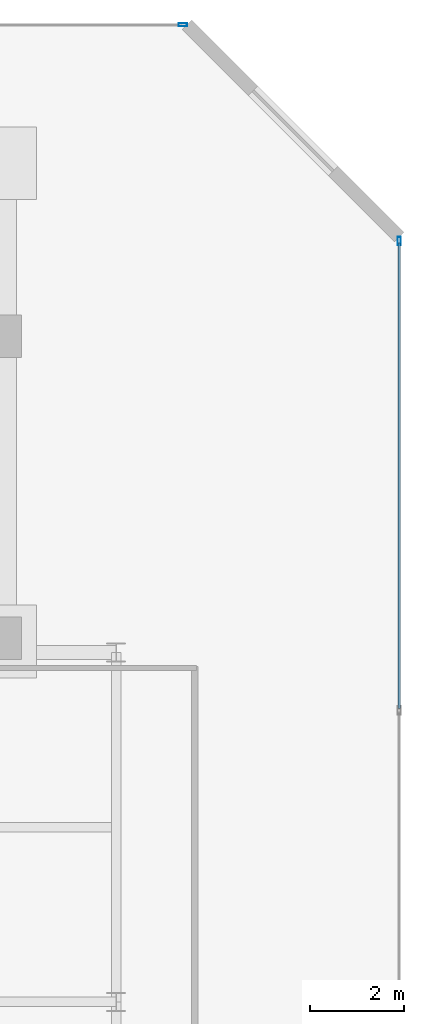
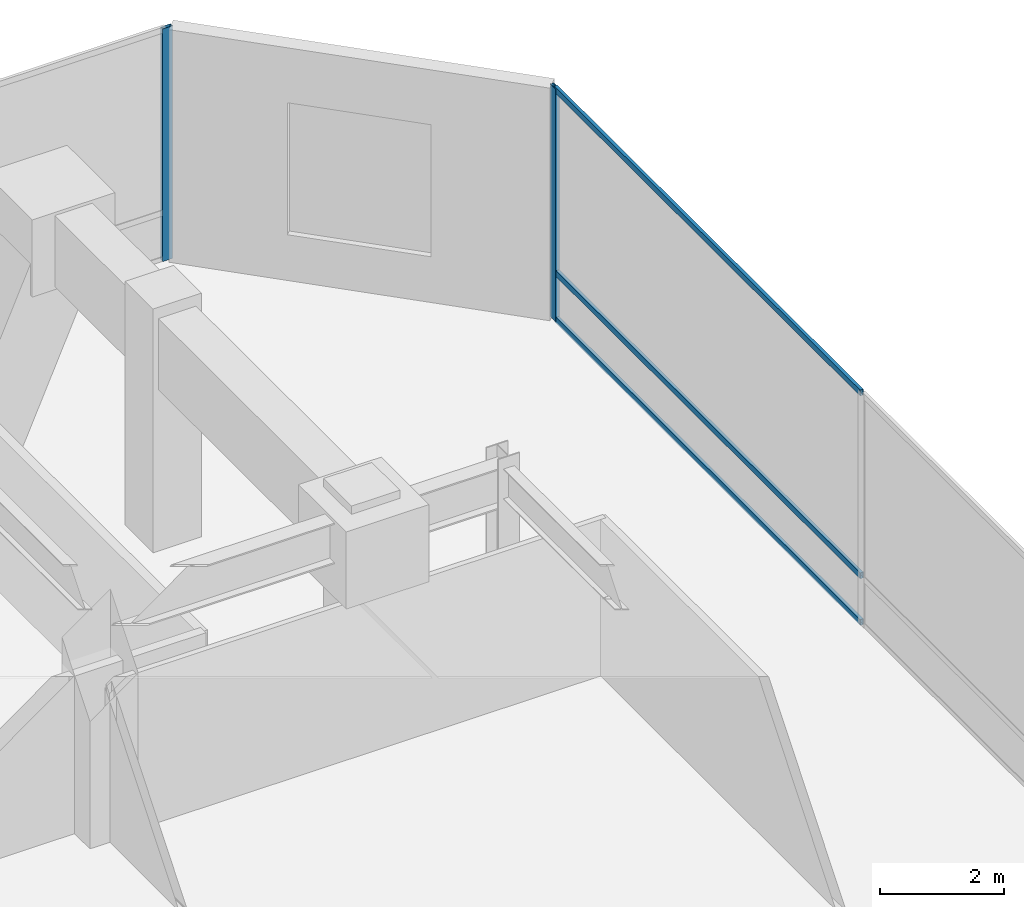
# One storey, part 29 of 45: 5 members, 2 elements without a shape of their own.
"""IFC4 building model written with IfcOpenShell, lengths in metres."""

import ifcopenshell
import ifcopenshell.guid

model = None  # the IFC model being written
_history = None  # IfcOwnerHistory: only IFC2X3 demands one
_inside = {}  # id of a spatial element -> (the spatial element, [elements in it])
_under = {}  # id of a project, library or spatial element -> (it, [spatial elements below it])
_declared = {}  # id of a project -> (the project, [libraries it declares])
_typed = {}  # id of a type object -> (the type object, [elements of that type])
_made_of = {}  # id of a material, layer set ... -> (it, [elements and type objects made of it])


def new_model(schema):
    """Start an empty IFC model of exactly this schema.

    Asked for "IFC4X3", IfcOpenShell would pick the latest addendum, in which some entities
    have other attributes; the version numbers below select the first issue.
    IFC2X3 requires an IfcOwnerHistory on every rooted entity: one is made here for all.
    """
    global model, _history
    if schema == "IFC4X3":
        model = ifcopenshell.file(schema_version=(4, 3, 0, 0))
    else:
        model = ifcopenshell.file(schema=schema)
    _inside.clear()
    _under.clear()
    _declared.clear()
    _typed.clear()
    _made_of.clear()
    _history = None
    if model.schema == "IFC2X3":
        org = make("IfcOrganization", Name="unknown")
        user = make(
            "IfcPersonAndOrganization",
            ThePerson=make("IfcPerson", FamilyName="unknown"),
            TheOrganization=org,
        )
        app = make(
            "IfcApplication",
            ApplicationDeveloper=org,
            Version="unknown",
            ApplicationFullName="unknown",
            ApplicationIdentifier="unknown",
        )
        _history = make(
            "IfcOwnerHistory",
            OwningUser=user,
            OwningApplication=app,
            ChangeAction="ADDED",
            CreationDate=0,
        )
    return model


def make(cls, **values):
    """One entity of the class cls with the attributes given. An attribute that is None is left unset."""
    return model.create_entity(
        cls, **{name: value for name, value in values.items() if value is not None}
    )


def rooted(cls, **values):
    """An entity with a GlobalId (a new one), such as an element, a storey or a relation."""
    return make(cls, GlobalId=ifcopenshell.guid.new(), OwnerHistory=_history, **values)


def si_unit(unit_type, name, prefix=None):
    """IfcSIUnit, for example si_unit("LENGTHUNIT", "METRE", prefix="MILLI")."""
    return make("IfcSIUnit", UnitType=unit_type, Prefix=prefix, Name=name)


def assignment(units):
    """IfcUnitAssignment: the units of a project."""
    return None if units is None else make("IfcUnitAssignment", Units=units)


def point(xyz):
    """IfcCartesianPoint."""
    return None if xyz is None else make("IfcCartesianPoint", Coordinates=xyz)


def direction(xyz):
    """IfcDirection."""
    return None if xyz is None else make("IfcDirection", DirectionRatios=xyz)


def frame(location, z_axis=None, x_axis=None):
    """IfcAxis2Placement3D, a coordinate frame: its origin and axes. An axis left out is left unset."""
    return make(
        "IfcAxis2Placement3D",
        Location=point(location),
        Axis=direction(z_axis),
        RefDirection=direction(x_axis),
    )


def frame_2d(location, x_axis=None):
    """IfcAxis2Placement2D, a coordinate frame in the plane: its origin and x axis."""
    return make(
        "IfcAxis2Placement2D", Location=point(location), RefDirection=direction(x_axis)
    )


def origin():
    """The frame at (0, 0, 0) with its axes left unset."""
    return frame((0.0, 0.0, 0.0))


def origin_2d():
    """The frame at (0, 0) in the plane with its x axis left unset."""
    return frame_2d((0.0, 0.0))


def place(relative_to, where):
    """IfcLocalPlacement: puts the frame where relative to a parent placement (None: the world)."""
    return make(
        "IfcLocalPlacement", PlacementRelTo=relative_to, RelativePlacement=where
    )


def context(
    kind, dimensions, precision=None, world=None, true_north=None, identifier=None
):
    """IfcGeometricRepresentationContext, for example the 3D "Model" context."""
    return make(
        "IfcGeometricRepresentationContext",
        ContextIdentifier=identifier,
        ContextType=kind,
        CoordinateSpaceDimension=dimensions,
        Precision=precision,
        WorldCoordinateSystem=world,
        TrueNorth=true_north,
    )


def subcontext(parent, identifier, kind, view, scale=None):
    """IfcGeometricRepresentationSubContext, for example "Body" below "Model"."""
    return make(
        "IfcGeometricRepresentationSubContext",
        ContextIdentifier=identifier,
        ContextType=kind,
        ParentContext=parent,
        TargetScale=scale,
        TargetView=view,
    )


def project(units=None, contexts=None):
    """IfcProject with its units and contexts."""
    return rooted(
        "IfcProject",
        Name="project",
        RepresentationContexts=contexts,
        UnitsInContext=assignment(units),
    )


def spatial(cls, under=None, at=None, **own):
    """A site, building, storey or space (cls), placed at a placement, below another one or the project."""
    s = rooted(cls, ObjectPlacement=at, **own)
    if under is not None:
        _under.setdefault(under.id(), (under, []))[1].append(s)
    return s


def profile(cls, at=None, kind="AREA", **sizes):
    """A parametric profile (cls). Its sizes go by their IFC names, for example OverallWidth=200.0."""
    return make(cls, ProfileType=kind, Position=at, **sizes)


def hollow_rectangle(**sizes):
    """IfcRectangleHollowProfileDef."""
    return profile("IfcRectangleHollowProfileDef", **sizes)


def extrude(swept, where, along, depth):
    """IfcExtrudedAreaSolid: the profile swept, set in the frame where, extruded along a direction by depth."""
    return make(
        "IfcExtrudedAreaSolid",
        SweptArea=swept,
        Position=where,
        ExtrudedDirection=direction(along),
        Depth=depth,
    )


def shape(context_of_items, identifier, shape_type, items):
    """IfcShapeRepresentation: the items that make up one representation, for example the "Body"."""
    return make(
        "IfcShapeRepresentation",
        ContextOfItems=context_of_items,
        RepresentationIdentifier=identifier,
        RepresentationType=shape_type,
        Items=items,
    )


def material(Name=None, Category=None):
    """IfcMaterial."""
    return make("IfcMaterial", Name=Name, Category=Category)


def layer(
    of_material, thickness, ventilated=None, Name=None, Category=None, Priority=None
):
    """IfcMaterialLayer: one layer of a wall or slab, of a material (None: an air gap)."""
    return make(
        "IfcMaterialLayer",
        Material=of_material,
        LayerThickness=thickness,
        IsVentilated=ventilated,
        Name=Name,
        Category=Category,
        Priority=Priority,
    )


def layer_set(layers, Name=None):
    """IfcMaterialLayerSet."""
    return make("IfcMaterialLayerSet", MaterialLayers=layers, LayerSetName=Name)


def material_profile(
    of_material, cross_section, Name=None, Category=None, Priority=None
):
    """IfcMaterialProfile: a cross section and its material."""
    return make(
        "IfcMaterialProfile",
        Name=Name,
        Material=of_material,
        Profile=cross_section,
        Priority=Priority,
        Category=Category,
    )


def profile_set(profiles, Name=None, composite=None):
    """IfcMaterialProfileSet."""
    return make(
        "IfcMaterialProfileSet",
        Name=Name,
        MaterialProfiles=profiles,
        CompositeProfile=composite,
    )


def made_of(thing, what):
    """Note that an element or type object is made of a material, layer set ...; save() writes the relation."""
    if what is not None:
        _made_of.setdefault(what.id(), (what, []))[1].append(thing)
    return thing


def type_object(cls, material=None, **own):
    """A type object (cls), such as IfcWallType, which elements share."""
    return made_of(rooted(cls, **own), material)


def element(
    cls,
    number,
    at=None,
    inside=None,
    cuts=None,
    type_object=None,
    material=None,
    context=None,
    identifier="Body",
    shape_type=None,
    held_by="IfcProductDefinitionShape",
    body=None,
    shapes=None,
    **own,
):
    """One element of the class cls, such as IfcWall. Its Tag is "e" and its number.

    at: its placement. inside: the storey or other place that contains it. cuts: it is an
    opening in that element (IfcRelVoidsElement). A single representation is given by context,
    identifier, shape_type and body (its items); several are given by shapes. held_by: the class
    of the entity that holds the representations. save() writes the other relations.
    """
    e = rooted(cls, Tag="e%d" % number, ObjectPlacement=at, **own)
    if body is not None:
        shapes = [shape(context, identifier, shape_type, body)]
    if shapes is not None:
        e.Representation = make(held_by, Representations=shapes)
    if inside is not None:
        _inside.setdefault(inside.id(), (inside, []))[1].append(e)
    if cuts is not None:
        rooted(
            "IfcRelVoidsElement", RelatingBuildingElement=cuts, RelatedOpeningElement=e
        )
    if type_object is not None:
        _typed.setdefault(type_object.id(), (type_object, []))[1].append(e)
    return made_of(e, material)


def aggregate(whole, parts):
    """IfcRelAggregates: a whole, such as a stair, and the parts it consists of."""
    return rooted("IfcRelAggregates", RelatingObject=whole, RelatedObjects=parts)


def save(model, path):
    """Write the relations noted so far, then the file.

    IfcRelAggregates (storeys below a building ...), IfcRelContainedInSpatialStructure (elements
    in a storey), IfcRelDefinesByType, IfcRelAssociatesMaterial and IfcRelDeclares: one each for
    every whole, place, type object, material and project.
    """
    for whole, parts in _under.values():
        aggregate(whole, parts)
    for where, things in _inside.values():
        rooted(
            "IfcRelContainedInSpatialStructure",
            RelatedElements=things,
            RelatingStructure=where,
        )
    for kind, things in _typed.values():
        rooted("IfcRelDefinesByType", RelatedObjects=things, RelatingType=kind)
    for what, things in _made_of.values():
        rooted("IfcRelAssociatesMaterial", RelatedObjects=things, RelatingMaterial=what)
    for by, libraries in _declared.values():
        rooted("IfcRelDeclares", RelatingContext=by, RelatedDefinitions=libraries)
    model.write(path)


model = new_model("IFC4")

# Units and contexts
model_context = context("Model", 3, precision=1e-05, world=origin(), true_north=direction((0.0, 1.0)))
body_context = subcontext(model_context, "Body", "Model", "MODEL_VIEW")
ifc_project = project(units=[si_unit("LENGTHUNIT", "METRE"), si_unit("AREAUNIT", "SQUARE_METRE"), si_unit("VOLUMEUNIT", "CUBIC_METRE"), si_unit("PLANEANGLEUNIT", "RADIAN"), si_unit("MASSUNIT", "GRAM", prefix="KILO")], contexts=[model_context])

# Site, building, storey
site_placement = place(None, origin())
site = spatial("IfcSite", under=ifc_project, at=site_placement, CompositionType="ELEMENT")
building_placement = place(site_placement, origin())
building = spatial("IfcBuilding", under=site, at=building_placement, Name="Qianvela Tower", CompositionType="ELEMENT")
storey_placement = place(building_placement, frame((0.0, 0.0, 11.0)))
storey = spatial("IfcBuildingStorey", under=building, at=storey_placement, Name="L02", CompositionType="ELEMENT", Elevation=11.0)

# Curtain wall, member
ifc_material_1 = material(Name="Anodised Architectural Aluminium and Low-E Glass", Category="aluminium")
ifc_layer = layer(ifc_material_1, 0.179931640625)
ifc_layer_set = layer_set([ifc_layer], Name="Anodised Architectural Aluminium and Low-E Glass")
curtain_wall_type = type_object("IfcCurtainWallType", Name="CW-COMMONS", PredefinedType="USERDEFINED", material=ifc_layer_set)
curtain_wall_1_placement = place(storey_placement, origin())
curtain_wall_1 = element("IfcCurtainWall", 1, at=curtain_wall_1_placement, inside=storey, type_object=curtain_wall_type, Name="L02 CW-COMMONS Curtain Wall 03", ObjectType="CURTAIN_WALL_SYSTEM", PredefinedType="USERDEFINED")
ifc_material_2 = material(Name="Anodised Architectural Aluminium 6063-T6", Category="aluminium")
ifc_material_profile_1 = material_profile(ifc_material_2, hollow_rectangle(XDim=0.070068359375, YDim=0.179931640625, WallThickness=0.0048828125, at=origin_2d()), Name="ALU-MULL-70x180")
ifc_profile_set_1 = profile_set([ifc_material_profile_1], Name="Anodised Architectural Aluminium 6063-T6")
member_type_1 = type_object("IfcMemberType", Name="CW-COMMONS-MULL", PredefinedType="MULLION", material=ifc_profile_set_1)
member_1_placement = place(storey_placement, frame((73.5, 45.9150390625, 0.0), z_axis=(0.0, 0.0, 1.0), x_axis=(-1.0, 0.0, 0.0)))
member_1 = element("IfcMember", 2, at=member_1_placement, type_object=member_type_1, Name="CW-2 mullion 5", PredefinedType="MULLION", context=body_context, shape_type="SweptSolid", body=[
    extrude(hollow_rectangle(XDim=0.070068359375, YDim=0.179931640625, WallThickness=0.0048828125, at=origin_2d()), origin(), (0.0, 0.0, 1.0), 4.580078125),
])

curtain_wall_2_placement = place(storey_placement, origin())
curtain_wall_2 = element("IfcCurtainWall", 3, at=curtain_wall_2_placement, inside=storey, type_object=curtain_wall_type, Name="L02 CW-COMMONS Curtain Wall 05", ObjectType="CURTAIN_WALL_SYSTEM", PredefinedType="USERDEFINED")
member_2_placement = place(storey_placement, frame((68.9150390625, 50.5, 0.0), z_axis=(0.0, 0.0, 1.0), x_axis=(0.0, -1.0, 0.0)))
member_2 = element("IfcMember", 4, at=member_2_placement, type_object=member_type_1, Name="CW-2 mullion 1", PredefinedType="MULLION", context=body_context, shape_type="SweptSolid", body=[
    extrude(hollow_rectangle(XDim=0.070068359375, YDim=0.179931640625, WallThickness=0.0048828125, at=origin_2d()), origin(), (0.0, 0.0, 1.0), 4.580078125),
])
aggregate(curtain_wall_2, [member_2])

# Member
ifc_material_3 = material(Name="Anodised Architectural Aluminium 6063-T6", Category="aluminium")
ifc_material_profile_2 = material_profile(ifc_material_3, hollow_rectangle(XDim=0.06005859375, YDim=0.114990234375, WallThickness=0.00390625, at=origin_2d()), Name="ALU-TRAN-60x115")
ifc_profile_set_2 = profile_set([ifc_material_profile_2], Name="Anodised Architectural Aluminium 6063-T6")
member_type_2 = type_object("IfcMemberType", Name="CW-COMMONS-TRAN", PredefinedType="USERDEFINED", material=ifc_profile_set_2)
member_3_placement = place(storey_placement, frame((73.5, 36.010009765625, 0.030029296875), z_axis=(0.0, 1.0, 0.0), x_axis=(-1.0, 0.0, 0.0)))
member_3 = element("IfcMember", 5, at=member_3_placement, type_object=member_type_2, Name="CW-2 transom 4.1", ObjectType="TRANSOM", PredefinedType="USERDEFINED", context=body_context, shape_type="SweptSolid", body=[
    extrude(hollow_rectangle(XDim=0.06005859375, YDim=0.114990234375, WallThickness=0.00390625, at=origin_2d()), origin(), (0.0, 0.0, 1.0), 9.869873046875),
])

member_4_placement = place(storey_placement, frame((73.5, 36.010009765625, 0.949951171875), z_axis=(0.0, 1.0, 0.0), x_axis=(-1.0, 0.0, 0.0)))
member_4 = element("IfcMember", 6, at=member_4_placement, type_object=member_type_2, Name="CW-2 transom 4.2", ObjectType="TRANSOM", PredefinedType="USERDEFINED", context=body_context, shape_type="SweptSolid", body=[
    extrude(hollow_rectangle(XDim=0.06005859375, YDim=0.114990234375, WallThickness=0.00390625, at=origin_2d()), origin(), (0.0, 0.0, 1.0), 9.869873046875),
])

member_5_placement = place(storey_placement, frame((73.5, 36.010009765625, 4.550048828125), z_axis=(0.0, 1.0, 0.0), x_axis=(-1.0, 0.0, 0.0)))
member_5 = element("IfcMember", 7, at=member_5_placement, type_object=member_type_2, Name="CW-2 transom 4.3", ObjectType="TRANSOM", PredefinedType="USERDEFINED", context=body_context, shape_type="SweptSolid", body=[
    extrude(hollow_rectangle(XDim=0.06005859375, YDim=0.114990234375, WallThickness=0.00390625, at=origin_2d()), origin(), (0.0, 0.0, 1.0), 9.869873046875),
])

aggregate(curtain_wall_1, [member_1, member_3, member_4, member_5])

save(model, "model.ifc")
